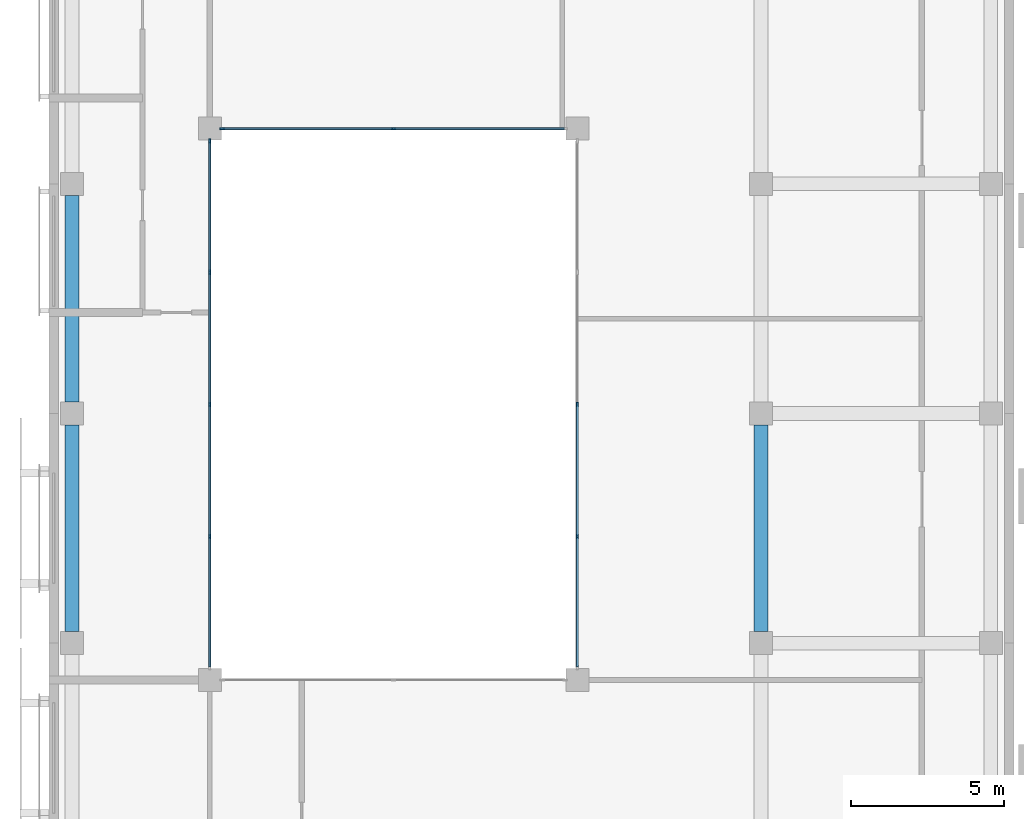
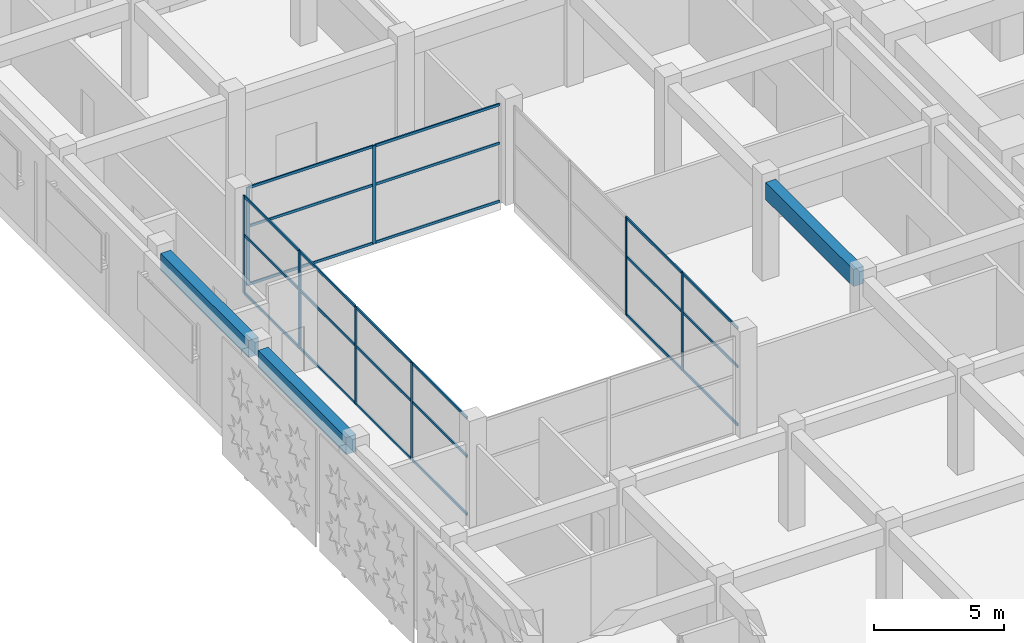
# One storey, part 3 of 40: 32 members, 3 beams, 3 elements without a shape of their own.
"""IFC4 building model written with IfcOpenShell, lengths in metres."""

from ifc_helpers import new_model, si_unit, direction, frame, origin, origin_2d, place, context, subcontext, project, spatial, rectangle, extrude, material, layer, layer_set, material_profile, profile_set, type_object, element, aggregate, save


model = new_model("IFC4")

# Units and contexts
model_context = context("Model", 3, precision=1e-05, world=origin(), true_north=direction((0.0, 1.0)))
body_context = subcontext(model_context, "Body", "Model", "MODEL_VIEW")
ifc_project = project(units=[si_unit("LENGTHUNIT", "METRE"), si_unit("AREAUNIT", "SQUARE_METRE"), si_unit("VOLUMEUNIT", "CUBIC_METRE"), si_unit("PLANEANGLEUNIT", "RADIAN"), si_unit("MASSUNIT", "GRAM", prefix="KILO")], contexts=[model_context])

# Site, building, storey
site_placement = place(None, origin())
site = spatial("IfcSite", under=ifc_project, at=site_placement, CompositionType="ELEMENT")
building_placement = place(site_placement, origin())
building = spatial("IfcBuilding", under=site, at=building_placement, Name="Tessera Arch", CompositionType="ELEMENT")
storey_placement = place(building_placement, frame((0.0, 0.0, 21.0)))
storey = spatial("IfcBuildingStorey", under=building, at=storey_placement, Name="L03", CompositionType="ELEMENT", Elevation=21.0)

# Curtain wall, members
ifc_material_1 = material(Name="Aluminium and clear glass", Category="aluminium")
ifc_layer = layer(ifc_material_1, 0.1201171875)
ifc_layer_set = layer_set([ifc_layer], Name="Courtyard curtain wall")
curtain_wall_type = type_object("IfcCurtainWallType", Name="Courtyard curtain wall", PredefinedType="NOTDEFINED", material=ifc_layer_set)
curtain_wall_1_placement = place(storey_placement, origin())
curtain_wall_1 = element("IfcCurtainWall", 1, at=curtain_wall_1_placement, inside=storey, type_object=curtain_wall_type, Name="Courtyard curtain wall L03 2", PredefinedType="NOTDEFINED")
ifc_material_2 = material(Name="Aluminium alloy anodised", Category="aluminium")
ifc_material_profile_1 = material_profile(ifc_material_2, rectangle(XDim=0.06005859375, YDim=0.14990234375, at=origin_2d()), Name="Courtyard mullion")
ifc_profile_set_1 = profile_set([ifc_material_profile_1], Name="Aluminium alloy anodised")
member_type_1 = type_object("IfcMemberType", Name="Courtyard mullion", PredefinedType="MULLION", material=ifc_profile_set_1)
member_1_placement = place(storey_placement, frame((-15.300048828125, 16.6875, 0.0), z_axis=(0.0, 0.0, 1.0), x_axis=(-1.0, 0.0, 0.0)))
member_1 = element("IfcMember", 2, at=member_1_placement, type_object=member_type_1, Name="MCW1 mullion 2", PredefinedType="MULLION", context=body_context, shape_type="SweptSolid", body=[
    extrude(rectangle(XDim=0.06005859375, YDim=0.14990234375, at=origin_2d()), origin(), (0.0, 0.0, 1.0), 4.590087890625),
])
member_2_placement = place(storey_placement, frame((-15.300048828125, 21.0, 0.0), z_axis=(0.0, 0.0, 1.0), x_axis=(-1.0, 0.0, 0.0)))
member_2 = element("IfcMember", 3, at=member_2_placement, type_object=member_type_1, Name="MCW1 mullion 3", PredefinedType="MULLION", context=body_context, shape_type="SweptSolid", body=[
    extrude(rectangle(XDim=0.06005859375, YDim=0.14990234375, at=origin_2d()), origin(), (0.0, 0.0, 1.0), 4.590087890625),
])

curtain_wall_2_placement = place(storey_placement, origin())
curtain_wall_2 = element("IfcCurtainWall", 4, at=curtain_wall_2_placement, inside=storey, type_object=curtain_wall_type, Name="Courtyard curtain wall L03 3", PredefinedType="NOTDEFINED")
member_3_placement = place(storey_placement, frame((-21.300048828125, 30.0, 0.0), z_axis=(0.0, 0.0, 1.0), x_axis=(0.0, -1.0, 0.0)))
member_3 = element("IfcMember", 5, at=member_3_placement, type_object=member_type_1, Name="MCW1 mullion 2", PredefinedType="MULLION", context=body_context, shape_type="SweptSolid", body=[
    extrude(rectangle(XDim=0.06005859375, YDim=0.14990234375, at=origin_2d()), origin(), (0.0, 0.0, 1.0), 4.590087890625),
])
member_4_placement = place(storey_placement, frame((-26.89501953125, 30.0, 0.0), z_axis=(0.0, 0.0, 1.0), x_axis=(0.0, -1.0, 0.0)))
member_4 = element("IfcMember", 6, at=member_4_placement, type_object=member_type_1, Name="MCW1 mullion 3", PredefinedType="MULLION", context=body_context, shape_type="SweptSolid", body=[
    extrude(rectangle(XDim=0.06005859375, YDim=0.14990234375, at=origin_2d()), origin(), (0.0, 0.0, 1.0), 4.590087890625),
])

curtain_wall_3_placement = place(storey_placement, origin())
curtain_wall_3 = element("IfcCurtainWall", 7, at=curtain_wall_3_placement, inside=storey, type_object=curtain_wall_type, Name="Courtyard curtain wall L03 4", PredefinedType="NOTDEFINED")
member_5_placement = place(storey_placement, frame((-27.300048828125, 29.594970703125, 0.0), z_axis=(0.0, 0.0, 1.0), x_axis=(1.0, 0.0, 0.0)))
member_5 = element("IfcMember", 8, at=member_5_placement, type_object=member_type_1, Name="MCW1 mullion 1", PredefinedType="MULLION", context=body_context, shape_type="SweptSolid", body=[
    extrude(rectangle(XDim=0.06005859375, YDim=0.14990234375, at=origin_2d()), origin(), (0.0, 0.0, 1.0), 4.590087890625),
])
member_6_placement = place(storey_placement, frame((-27.300048828125, 25.3125, 0.0), z_axis=(0.0, 0.0, 1.0), x_axis=(1.0, 0.0, 0.0)))
member_6 = element("IfcMember", 9, at=member_6_placement, type_object=member_type_1, Name="MCW1 mullion 2", PredefinedType="MULLION", context=body_context, shape_type="SweptSolid", body=[
    extrude(rectangle(XDim=0.06005859375, YDim=0.14990234375, at=origin_2d()), origin(), (0.0, 0.0, 1.0), 4.590087890625),
])
member_7_placement = place(storey_placement, frame((-27.300048828125, 21.0, 0.0), z_axis=(0.0, 0.0, 1.0), x_axis=(1.0, 0.0, 0.0)))
member_7 = element("IfcMember", 10, at=member_7_placement, type_object=member_type_1, Name="MCW1 mullion 3", PredefinedType="MULLION", context=body_context, shape_type="SweptSolid", body=[
    extrude(rectangle(XDim=0.06005859375, YDim=0.14990234375, at=origin_2d()), origin(), (0.0, 0.0, 1.0), 4.590087890625),
])
member_8_placement = place(storey_placement, frame((-27.300048828125, 16.6875, 0.0), z_axis=(0.0, 0.0, 1.0), x_axis=(1.0, 0.0, 0.0)))
member_8 = element("IfcMember", 11, at=member_8_placement, type_object=member_type_1, Name="MCW1 mullion 4", PredefinedType="MULLION", context=body_context, shape_type="SweptSolid", body=[
    extrude(rectangle(XDim=0.06005859375, YDim=0.14990234375, at=origin_2d()), origin(), (0.0, 0.0, 1.0), 4.590087890625),
])

# Member
ifc_material_3 = material(Name="Aluminium alloy anodised", Category="aluminium")
ifc_material_profile_2 = material_profile(ifc_material_3, rectangle(XDim=0.06005859375, YDim=0.1201171875, at=origin_2d()), Name="Courtyard transom")
ifc_profile_set_2 = profile_set([ifc_material_profile_2], Name="Aluminium alloy anodised")
member_type_2 = type_object("IfcMemberType", Name="Courtyard transom", PredefinedType="USERDEFINED", material=ifc_profile_set_2)
member_9_placement = place(storey_placement, frame((-15.300048828125, 12.43505859375, 0.030029296875), z_axis=(0.0, 1.0, 0.0), x_axis=(-1.0, 0.0, 0.0)))
member_9 = element("IfcMember", 12, at=member_9_placement, type_object=member_type_2, Name="MCW1 transom 1.1", ObjectType="TRANSOM", PredefinedType="USERDEFINED", context=body_context, shape_type="SweptSolid", body=[
    extrude(rectangle(XDim=0.06005859375, YDim=0.1201171875, at=origin_2d()), origin(), (0.0, 0.0, 1.0), 4.222412109375),
])

member_10_placement = place(storey_placement, frame((-15.300048828125, 12.43505859375, 2.75390625), z_axis=(0.0, 1.0, 0.0), x_axis=(-1.0, 0.0, 0.0)))
member_10 = element("IfcMember", 13, at=member_10_placement, type_object=member_type_2, Name="MCW1 transom 1.2", ObjectType="TRANSOM", PredefinedType="USERDEFINED", context=body_context, shape_type="SweptSolid", body=[
    extrude(rectangle(XDim=0.06005859375, YDim=0.1201171875, at=origin_2d()), origin(), (0.0, 0.0, 1.0), 4.222412109375),
])

member_11_placement = place(storey_placement, frame((-15.300048828125, 12.43505859375, 4.56005859375), z_axis=(0.0, 1.0, 0.0), x_axis=(-1.0, 0.0, 0.0)))
member_11 = element("IfcMember", 14, at=member_11_placement, type_object=member_type_2, Name="MCW1 transom 1.3", ObjectType="TRANSOM", PredefinedType="USERDEFINED", context=body_context, shape_type="SweptSolid", body=[
    extrude(rectangle(XDim=0.06005859375, YDim=0.1201171875, at=origin_2d()), origin(), (0.0, 0.0, 1.0), 4.222412109375),
])

member_12_placement = place(storey_placement, frame((-15.300048828125, 16.717529296875, 0.030029296875), z_axis=(0.0, 1.0, 0.0), x_axis=(-1.0, 0.0, 0.0)))
member_12 = element("IfcMember", 15, at=member_12_placement, type_object=member_type_2, Name="MCW1 transom 2.1", ObjectType="TRANSOM", PredefinedType="USERDEFINED", context=body_context, shape_type="SweptSolid", body=[
    extrude(rectangle(XDim=0.06005859375, YDim=0.1201171875, at=origin_2d()), origin(), (0.0, 0.0, 1.0), 4.25244140625),
])

member_13_placement = place(storey_placement, frame((-15.300048828125, 16.717529296875, 2.75390625), z_axis=(0.0, 1.0, 0.0), x_axis=(-1.0, 0.0, 0.0)))
member_13 = element("IfcMember", 16, at=member_13_placement, type_object=member_type_2, Name="MCW1 transom 2.2", ObjectType="TRANSOM", PredefinedType="USERDEFINED", context=body_context, shape_type="SweptSolid", body=[
    extrude(rectangle(XDim=0.06005859375, YDim=0.1201171875, at=origin_2d()), origin(), (0.0, 0.0, 1.0), 4.25244140625),
])

member_14_placement = place(storey_placement, frame((-15.300048828125, 16.717529296875, 4.56005859375), z_axis=(0.0, 1.0, 0.0), x_axis=(-1.0, 0.0, 0.0)))
member_14 = element("IfcMember", 17, at=member_14_placement, type_object=member_type_2, Name="MCW1 transom 2.3", ObjectType="TRANSOM", PredefinedType="USERDEFINED", context=body_context, shape_type="SweptSolid", body=[
    extrude(rectangle(XDim=0.06005859375, YDim=0.1201171875, at=origin_2d()), origin(), (0.0, 0.0, 1.0), 4.25244140625),
])

aggregate(curtain_wall_1, [member_1, member_2, member_9, member_10, member_11, member_12, member_13, member_14])

member_15_placement = place(storey_placement, frame((-15.735107421875, 30.0, 0.030029296875), z_axis=(-1.0, 0.0, 0.0), x_axis=(0.0, -1.0, 0.0)))
member_15 = element("IfcMember", 18, at=member_15_placement, type_object=member_type_2, Name="MCW1 transom 1.1", ObjectType="TRANSOM", PredefinedType="USERDEFINED", context=body_context, shape_type="SweptSolid", body=[
    extrude(rectangle(XDim=0.06005859375, YDim=0.1201171875, at=origin_2d()), origin(), (0.0, 0.0, 1.0), 5.534912109375),
])

member_16_placement = place(storey_placement, frame((-15.735107421875, 30.0, 2.75390625), z_axis=(-1.0, 0.0, 0.0), x_axis=(0.0, -1.0, 0.0)))
member_16 = element("IfcMember", 19, at=member_16_placement, type_object=member_type_2, Name="MCW1 transom 1.2", ObjectType="TRANSOM", PredefinedType="USERDEFINED", context=body_context, shape_type="SweptSolid", body=[
    extrude(rectangle(XDim=0.06005859375, YDim=0.1201171875, at=origin_2d()), origin(), (0.0, 0.0, 1.0), 5.534912109375),
])

member_17_placement = place(storey_placement, frame((-15.735107421875, 30.0, 4.56005859375), z_axis=(-1.0, 0.0, 0.0), x_axis=(0.0, -1.0, 0.0)))
member_17 = element("IfcMember", 20, at=member_17_placement, type_object=member_type_2, Name="MCW1 transom 1.3", ObjectType="TRANSOM", PredefinedType="USERDEFINED", context=body_context, shape_type="SweptSolid", body=[
    extrude(rectangle(XDim=0.06005859375, YDim=0.1201171875, at=origin_2d()), origin(), (0.0, 0.0, 1.0), 5.534912109375),
])

member_18_placement = place(storey_placement, frame((-21.330078125, 30.0, 0.030029296875), z_axis=(-1.0, 0.0, 0.0), x_axis=(0.0, -1.0, 0.0)))
member_18 = element("IfcMember", 21, at=member_18_placement, type_object=member_type_2, Name="MCW1 transom 2.1", ObjectType="TRANSOM", PredefinedType="USERDEFINED", context=body_context, shape_type="SweptSolid", body=[
    extrude(rectangle(XDim=0.06005859375, YDim=0.1201171875, at=origin_2d()), origin(), (0.0, 0.0, 1.0), 5.534912109375),
])

member_19_placement = place(storey_placement, frame((-21.330078125, 30.0, 2.75390625), z_axis=(-1.0, 0.0, 0.0), x_axis=(0.0, -1.0, 0.0)))
member_19 = element("IfcMember", 22, at=member_19_placement, type_object=member_type_2, Name="MCW1 transom 2.2", ObjectType="TRANSOM", PredefinedType="USERDEFINED", context=body_context, shape_type="SweptSolid", body=[
    extrude(rectangle(XDim=0.06005859375, YDim=0.1201171875, at=origin_2d()), origin(), (0.0, 0.0, 1.0), 5.534912109375),
])

member_20_placement = place(storey_placement, frame((-21.330078125, 30.0, 4.56005859375), z_axis=(-1.0, 0.0, 0.0), x_axis=(0.0, -1.0, 0.0)))
member_20 = element("IfcMember", 23, at=member_20_placement, type_object=member_type_2, Name="MCW1 transom 2.3", ObjectType="TRANSOM", PredefinedType="USERDEFINED", context=body_context, shape_type="SweptSolid", body=[
    extrude(rectangle(XDim=0.06005859375, YDim=0.1201171875, at=origin_2d()), origin(), (0.0, 0.0, 1.0), 5.534912109375),
])

aggregate(curtain_wall_2, [member_3, member_4, member_15, member_16, member_17, member_18, member_19, member_20])

member_21_placement = place(storey_placement, frame((-27.300048828125, 29.56494140625, 0.030029296875), z_axis=(0.0, -1.0, 0.0), x_axis=(1.0, 0.0, 0.0)))
member_21 = element("IfcMember", 24, at=member_21_placement, type_object=member_type_2, Name="MCW1 transom 1.1", ObjectType="TRANSOM", PredefinedType="USERDEFINED", context=body_context, shape_type="SweptSolid", body=[
    extrude(rectangle(XDim=0.06005859375, YDim=0.1201171875, at=origin_2d()), origin(), (0.0, 0.0, 1.0), 4.222412109375),
])

member_22_placement = place(storey_placement, frame((-27.300048828125, 29.56494140625, 2.75390625), z_axis=(0.0, -1.0, 0.0), x_axis=(1.0, 0.0, 0.0)))
member_22 = element("IfcMember", 25, at=member_22_placement, type_object=member_type_2, Name="MCW1 transom 1.2", ObjectType="TRANSOM", PredefinedType="USERDEFINED", context=body_context, shape_type="SweptSolid", body=[
    extrude(rectangle(XDim=0.06005859375, YDim=0.1201171875, at=origin_2d()), origin(), (0.0, 0.0, 1.0), 4.222412109375),
])

member_23_placement = place(storey_placement, frame((-27.300048828125, 29.56494140625, 4.56005859375), z_axis=(0.0, -1.0, 0.0), x_axis=(1.0, 0.0, 0.0)))
member_23 = element("IfcMember", 26, at=member_23_placement, type_object=member_type_2, Name="MCW1 transom 1.3", ObjectType="TRANSOM", PredefinedType="USERDEFINED", context=body_context, shape_type="SweptSolid", body=[
    extrude(rectangle(XDim=0.06005859375, YDim=0.1201171875, at=origin_2d()), origin(), (0.0, 0.0, 1.0), 4.222412109375),
])

member_24_placement = place(storey_placement, frame((-27.300048828125, 25.282470703125, 0.030029296875), z_axis=(0.0, -1.0, 0.0), x_axis=(1.0, 0.0, 0.0)))
member_24 = element("IfcMember", 27, at=member_24_placement, type_object=member_type_2, Name="MCW1 transom 2.1", ObjectType="TRANSOM", PredefinedType="USERDEFINED", context=body_context, shape_type="SweptSolid", body=[
    extrude(rectangle(XDim=0.06005859375, YDim=0.1201171875, at=origin_2d()), origin(), (0.0, 0.0, 1.0), 4.25244140625),
])

member_25_placement = place(storey_placement, frame((-27.300048828125, 25.282470703125, 2.75390625), z_axis=(0.0, -1.0, 0.0), x_axis=(1.0, 0.0, 0.0)))
member_25 = element("IfcMember", 28, at=member_25_placement, type_object=member_type_2, Name="MCW1 transom 2.2", ObjectType="TRANSOM", PredefinedType="USERDEFINED", context=body_context, shape_type="SweptSolid", body=[
    extrude(rectangle(XDim=0.06005859375, YDim=0.1201171875, at=origin_2d()), origin(), (0.0, 0.0, 1.0), 4.25244140625),
])

member_26_placement = place(storey_placement, frame((-27.300048828125, 25.282470703125, 4.56005859375), z_axis=(0.0, -1.0, 0.0), x_axis=(1.0, 0.0, 0.0)))
member_26 = element("IfcMember", 29, at=member_26_placement, type_object=member_type_2, Name="MCW1 transom 2.3", ObjectType="TRANSOM", PredefinedType="USERDEFINED", context=body_context, shape_type="SweptSolid", body=[
    extrude(rectangle(XDim=0.06005859375, YDim=0.1201171875, at=origin_2d()), origin(), (0.0, 0.0, 1.0), 4.25244140625),
])

member_27_placement = place(storey_placement, frame((-27.300048828125, 20.969970703125, 0.030029296875), z_axis=(0.0, -1.0, 0.0), x_axis=(1.0, 0.0, 0.0)))
member_27 = element("IfcMember", 30, at=member_27_placement, type_object=member_type_2, Name="MCW1 transom 3.1", ObjectType="TRANSOM", PredefinedType="USERDEFINED", context=body_context, shape_type="SweptSolid", body=[
    extrude(rectangle(XDim=0.06005859375, YDim=0.1201171875, at=origin_2d()), origin(), (0.0, 0.0, 1.0), 4.25244140625),
])

member_28_placement = place(storey_placement, frame((-27.300048828125, 20.969970703125, 2.75390625), z_axis=(0.0, -1.0, 0.0), x_axis=(1.0, 0.0, 0.0)))
member_28 = element("IfcMember", 31, at=member_28_placement, type_object=member_type_2, Name="MCW1 transom 3.2", ObjectType="TRANSOM", PredefinedType="USERDEFINED", context=body_context, shape_type="SweptSolid", body=[
    extrude(rectangle(XDim=0.06005859375, YDim=0.1201171875, at=origin_2d()), origin(), (0.0, 0.0, 1.0), 4.25244140625),
])

member_29_placement = place(storey_placement, frame((-27.300048828125, 20.969970703125, 4.56005859375), z_axis=(0.0, -1.0, 0.0), x_axis=(1.0, 0.0, 0.0)))
member_29 = element("IfcMember", 32, at=member_29_placement, type_object=member_type_2, Name="MCW1 transom 3.3", ObjectType="TRANSOM", PredefinedType="USERDEFINED", context=body_context, shape_type="SweptSolid", body=[
    extrude(rectangle(XDim=0.06005859375, YDim=0.1201171875, at=origin_2d()), origin(), (0.0, 0.0, 1.0), 4.25244140625),
])

member_30_placement = place(storey_placement, frame((-27.300048828125, 16.657470703125, 0.030029296875), z_axis=(0.0, -1.0, 0.0), x_axis=(1.0, 0.0, 0.0)))
member_30 = element("IfcMember", 33, at=member_30_placement, type_object=member_type_2, Name="MCW1 transom 4.1", ObjectType="TRANSOM", PredefinedType="USERDEFINED", context=body_context, shape_type="SweptSolid", body=[
    extrude(rectangle(XDim=0.06005859375, YDim=0.1201171875, at=origin_2d()), origin(), (0.0, 0.0, 1.0), 4.222412109375),
])

member_31_placement = place(storey_placement, frame((-27.300048828125, 16.657470703125, 2.75390625), z_axis=(0.0, -1.0, 0.0), x_axis=(1.0, 0.0, 0.0)))
member_31 = element("IfcMember", 34, at=member_31_placement, type_object=member_type_2, Name="MCW1 transom 4.2", ObjectType="TRANSOM", PredefinedType="USERDEFINED", context=body_context, shape_type="SweptSolid", body=[
    extrude(rectangle(XDim=0.06005859375, YDim=0.1201171875, at=origin_2d()), origin(), (0.0, 0.0, 1.0), 4.222412109375),
])

member_32_placement = place(storey_placement, frame((-27.300048828125, 16.657470703125, 4.56005859375), z_axis=(0.0, -1.0, 0.0), x_axis=(1.0, 0.0, 0.0)))
member_32 = element("IfcMember", 35, at=member_32_placement, type_object=member_type_2, Name="MCW1 transom 4.3", ObjectType="TRANSOM", PredefinedType="USERDEFINED", context=body_context, shape_type="SweptSolid", body=[
    extrude(rectangle(XDim=0.06005859375, YDim=0.1201171875, at=origin_2d()), origin(), (0.0, 0.0, 1.0), 4.222412109375),
])

aggregate(curtain_wall_3, [member_5, member_6, member_7, member_8, member_21, member_22, member_23, member_24, member_25, member_26, member_27, member_28, member_29, member_30, member_31, member_32])

# Beams
ifc_material_4 = material(Name="Concrete C40/50", Category="concrete")
ifc_material_profile_3 = material_profile(ifc_material_4, rectangle(XDim=0.449951171875, YDim=0.800048828125, at=origin_2d()), Name="Museum beam 450 x 800 Concrete C40/50")
ifc_profile_set_3 = profile_set([ifc_material_profile_3], Name="Concrete C40/50")
beam_type = type_object("IfcBeamType", Name="Museum beam 450 x 800 Concrete C40/50", PredefinedType="BEAM", material=ifc_profile_set_3)
for number, where, z_axis, x_axis, name in (
    (36, (-31.800048828125, 13.574951171875, 4.18994140625), (0.0, 1.0, 0.0), (-1.0, 0.0, 0.0), "Museum beam L03 6"),
    (37, (-31.800048828125, 21.074951171875, 4.18994140625), (0.0, 1.0, 0.0), (-1.0, 0.0, 0.0), "Museum beam L03 7"),
    (38, (-9.300048828125, 13.574951171875, 4.18994140625), (0.0, 1.0, 0.0), (-1.0, 0.0, 0.0), "Museum beam L03 28"),
):
    element("IfcBeam", number, at=place(storey_placement, frame(where, z_axis=z_axis, x_axis=x_axis)), inside=storey, type_object=beam_type, Name=name, PredefinedType="BEAM", context=body_context, shape_type="SweptSolid", body=[
        extrude(rectangle(XDim=0.449951171875, YDim=0.800048828125, at=origin_2d()), origin(), (0.0, 0.0, 1.0), 6.75),
    ])

save(model, "model.ifc")
